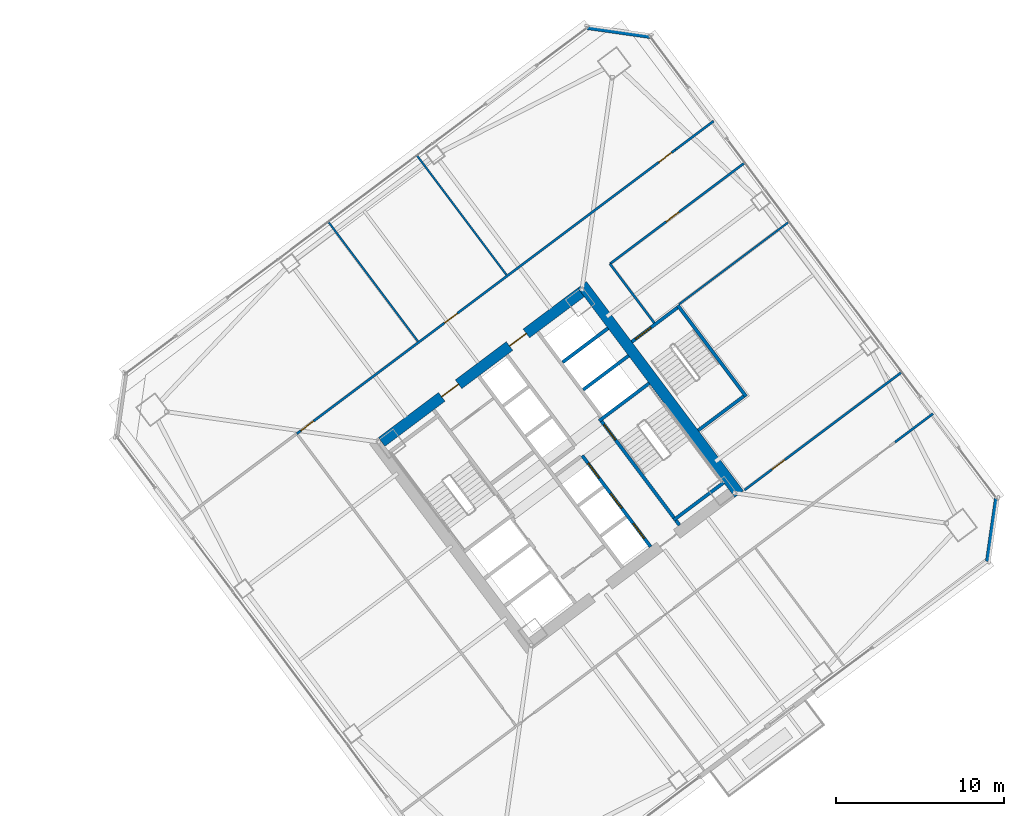
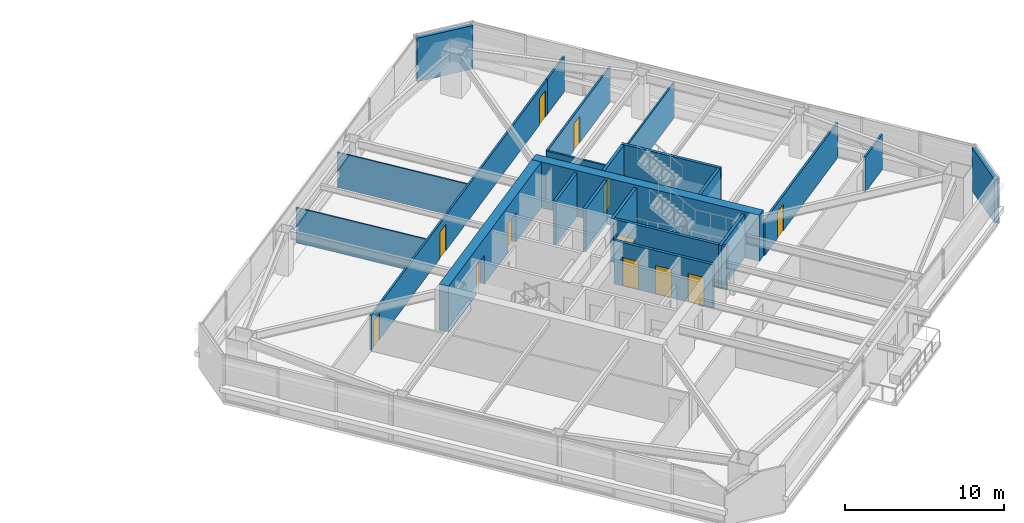
# One storey, part 41 of 48: 22 walls, 12 doors, 12 openings.
"""IFC4 building model written with IfcOpenShell, lengths in metres."""

from ifc_helpers import new_model, si_unit, direction, frame, frame_2d, origin, place, context, subcontext, project, spatial, rectangle, extrude, material, layer, layer_set, type_object, element, fill, save


model = new_model("IFC4")

# Units and contexts
model_context = context("Model", 3, precision=1e-05, world=origin(), true_north=direction((0.0, 1.0)))
body_context = subcontext(model_context, "Body", "Model", "MODEL_VIEW")
ifc_project = project(units=[si_unit("LENGTHUNIT", "METRE"), si_unit("AREAUNIT", "SQUARE_METRE"), si_unit("VOLUMEUNIT", "CUBIC_METRE"), si_unit("PLANEANGLEUNIT", "RADIAN"), si_unit("MASSUNIT", "GRAM", prefix="KILO")], contexts=[model_context])

# Site, building, storey
site_placement = place(None, origin())
site = spatial("IfcSite", under=ifc_project, at=site_placement, CompositionType="ELEMENT")
building_placement = place(site_placement, origin())
building = spatial("IfcBuilding", under=site, at=building_placement, Name="Tashvorn Skyway Center", CompositionType="ELEMENT")
storey_placement = place(building_placement, frame((0.0, 0.0, 77.85009765625)))
storey = spatial("IfcBuildingStorey", under=building, at=storey_placement, Name="L20", CompositionType="ELEMENT", Elevation=77.85009765625)

# Wall
ifc_material_1 = material(Name="Concrete C60/75", Category="concrete")
ifc_layer_1 = layer(ifc_material_1, 0.64990234375)
ifc_layer_set_1 = layer_set([ifc_layer_1], Name="Concrete C60/75")
wall_type_1 = type_object("IfcWallType", Name="WALL-CORE-650", PredefinedType="SHEAR", material=ifc_layer_set_1)
wall_1_placement = place(storey_placement, frame((115.52392578125, 42.89306640625, 0.0), z_axis=(0.0, 0.0, 1.0), x_axis=(0.600005007985, -0.799996243986, 0.0)))
element("IfcWall", 1, at=wall_1_placement, inside=storey, type_object=wall_type_1, Name="Tower 2 L20 East Core Shear Wall", PredefinedType="SHEAR", context=body_context, shape_type="SweptSolid", body=[
    extrude(rectangle(XDim=15.60009765625, YDim=0.64990234375, at=frame_2d((7.800048828125, 0.0))), origin(), (0.0, 0.0, 1.0), 3.5498046875),
])

# Wall, openings, doors
wall_2_placement = place(storey_placement, frame((103.571044921875, 33.52197265625, 0.0), z_axis=(0.0, 0.0, 1.0), x_axis=(0.799998028465, 0.600002628705, 0.0)))
wall_2 = element("IfcWall", 2, at=wall_2_placement, inside=storey, type_object=wall_type_1, Name="Tower 2 L20 North Core Shear Wall", PredefinedType="SHEAR", context=body_context, shape_type="SweptSolid", body=[
    extrude(rectangle(XDim=14.85986328125, YDim=0.64990234375, at=frame_2d((7.429931640625, 0.0))), origin(), (0.0, 0.0, 1.0), 3.5498046875),
])
opening_1_placement = place(wall_2_placement, frame((4.47998046875, 0.0, 0.0)))
opening_1 = element("IfcOpeningElement", 3, at=opening_1_placement, cuts=wall_2, Name="Opening D-FFL-1250", PredefinedType="OPENING", context=body_context, shape_type="SweptSolid", body=[
    extrude(rectangle(XDim=1.25, YDim=2.25, at=frame_2d((0.625, 1.125))), frame((0.0, 0.3349609375, 0.0), z_axis=(0.0, -1.0, 0.0), x_axis=(1.0, 0.0, 0.0)), (0.0, 0.0, 1.0), 0.669921875),
])
opening_2_placement = place(wall_2_placement, frame((9.530029296875, 0.0, 0.0)))
opening_2 = element("IfcOpeningElement", 4, at=opening_2_placement, cuts=wall_2, Name="Opening D-FFL-1250", PredefinedType="OPENING", context=body_context, shape_type="SweptSolid", body=[
    extrude(rectangle(XDim=1.25, YDim=2.25, at=frame_2d((0.625, 1.125))), frame((0.0, 0.3349609375, 0.0), z_axis=(0.0, -1.0, 0.0), x_axis=(1.0, 0.0, 0.0)), (0.0, 0.0, 1.0), 0.669921875),
])
ifc_material_2 = material(Name="Hollow galvanized steel fire door assembly", Category="steel")
door_type_1 = type_object("IfcDoorType", Name="DOOR-FFL-1250", OperationType="NOTDEFINED", PredefinedType="DOOR", material=ifc_material_2)
door_1_placement = place(opening_1_placement, origin())
door_1 = element("IfcDoor", 5, at=door_1_placement, inside=storey, type_object=door_type_1, Name="Tower 2 L20 Core North Service Lobby Door", OperationType="SINGLE_SWING_LEFT", OverallHeight=2.25, OverallWidth=1.25, PredefinedType="DOOR", context=body_context, shape_type="SweptSolid", body=[
    extrude(rectangle(XDim=1.25, YDim=2.25, at=frame_2d((0.625, 1.125))), frame((0.0, 0.02490234375, 0.0), z_axis=(0.0, -1.0, 0.0), x_axis=(1.0, 0.0, 0.0)), (0.0, 0.0, 1.0), 0.050048828125),
])
fill(opening_1, door_1)
door_2_placement = place(opening_2_placement, origin())
door_2 = element("IfcDoor", 6, at=door_2_placement, inside=storey, type_object=door_type_1, Name="Tower 2 L20 Core North Lift Lobby Door", OperationType="SINGLE_SWING_RIGHT", OverallHeight=2.25, OverallWidth=1.25, PredefinedType="DOOR", context=body_context, shape_type="SweptSolid", body=[
    extrude(rectangle(XDim=1.25, YDim=2.25, at=frame_2d((0.625, 1.125))), frame((0.0, 0.02490234375, 0.0), z_axis=(0.0, -1.0, 0.0), x_axis=(1.0, 0.0, 0.0)), (0.0, 0.0, 1.0), 0.050048828125),
])
fill(opening_2, door_2)

# Walls
ifc_material_3 = material(Name="Precast concrete C40/50", Category="concrete")
ifc_layer_2 = layer(ifc_material_3, 0.280029296875)
ifc_layer_set_2 = layer_set([ifc_layer_2], Name="Precast concrete C40/50")
wall_type_2 = type_object("IfcWallType", Name="WALL-EXT-280", PredefinedType="SOLIDWALL", material=ifc_layer_set_2)
for number, where, z_axis, x_axis, name in (
    (7, (115.820068359375, 58.239990234375, 0.0), (0.0, 0.0, 1.0), (0.989948214866, -0.141430307517, 0.0), "Tower 2 L20 NE Precast Chamfer Wall"),
    (8, (140.239990234375, 30.179931640625, 0.0), (0.0, 0.0, 1.0), (-0.141430307517, -0.989948214866, 0.0), "Tower 2 L20 SE Precast Chamfer Wall"),
):
    element("IfcWall", number, at=place(storey_placement, frame(where, z_axis=z_axis, x_axis=x_axis)), inside=storey, type_object=wall_type_2, Name=name, PredefinedType="SOLIDWALL", context=body_context, shape_type="SweptSolid", body=[
        extrude(rectangle(XDim=3.818359375, YDim=0.280029296875, at=frame_2d((1.9091796875, 0.0))), origin(), (0.0, 0.0, 1.0), 3.349853515625),
    ])
ifc_material_4 = material(Name="Gypsum board on cold-formed steel stud framing", Category="steel")
ifc_layer_3 = layer(ifc_material_4, 0.110107421875)
ifc_layer_set_3 = layer_set([ifc_layer_3], Name="Gypsum board on cold-formed steel stud framing")
wall_type_3 = type_object("IfcWallType", Name="WALL-PART-110", PredefinedType="PARTITIONING", material=ifc_layer_set_3)
for number, where, z_axis, x_axis, name in (
    (9, (105.73193359375, 39.52392578125, 0.0), (0.0, 0.0, 1.0), (-0.599982443676, 0.800013166942, 0.0), "Tower 2 L20 North Suite Partition 1"),
    (10, (111.011962890625, 43.48388671875, 0.0), (0.0, 0.0, 1.0), (-0.599982443676, 0.800013166942, 0.0), "Tower 2 L20 North Suite Partition 2"),
):
    element("IfcWall", number, at=place(storey_placement, frame(where, z_axis=z_axis, x_axis=x_axis)), inside=storey, type_object=wall_type_3, Name=name, PredefinedType="PARTITIONING", context=body_context, shape_type="SweptSolid", body=[
        extrude(rectangle(XDim=8.89990234375, YDim=0.110107421875, at=frame_2d((4.449951171875, 0.0))), origin(), (0.0, 0.0, 1.0), 2.702880859375),
    ])
wall_3_placement = place(storey_placement, frame((127.864013671875, 46.64794921875, 0.0), z_axis=(0.0, 0.0, 1.0), x_axis=(-0.800007145523, -0.599990472518, 0.0)))
element("IfcWall", 11, at=wall_3_placement, inside=storey, type_object=wall_type_3, Name="Tower 2 L20 East Suite Partition 1", PredefinedType="PARTITIONING", context=body_context, shape_type="SweptSolid", body=[
    extrude(rectangle(XDim=8.199951171875, YDim=0.110107421875, at=frame_2d((4.10009765625, 0.0))), origin(), (0.0, 0.0, 1.0), 2.702880859375),
])
ifc_layer_4 = layer(ifc_material_4, 0.135009765625)
ifc_layer_set_4 = layer_set([ifc_layer_4], Name="Gypsum board on cold-formed steel stud framing")
wall_type_4 = type_object("IfcWallType", Name="WALL-PART-135", PredefinedType="PARTITIONING", material=ifc_layer_set_4)
wall_4_placement = place(storey_placement, frame((119.823974609375, 40.617919921875, 0.0), z_axis=(0.0, 0.0, 1.0), x_axis=(-0.599982243973, 0.800013316712, 0.0)))
element("IfcWall", 12, at=wall_4_placement, inside=storey, type_object=wall_type_4, Name="Tower 2 L20 Stair 3 Access Corridor Wall", PredefinedType="PARTITIONING", context=body_context, shape_type="SweptSolid", body=[
    extrude(rectangle(XDim=4.39990234375, YDim=0.135009765625, at=frame_2d((2.199951171875, 0.0))), origin(), (0.0, 0.0, 1.0), 2.702880859375),
])

# Wall, openings, doors
wall_5_placement = place(storey_placement, frame((98.51611328125, 34.011962890625, 0.0), z_axis=(0.0, 0.0, 1.0), x_axis=(0.8, 0.6, 0.0)))
wall_5 = element("IfcWall", 13, at=wall_5_placement, inside=storey, type_object=wall_type_4, Name="Tower 2 L20 North Suite Wall", PredefinedType="PARTITIONING", context=body_context, shape_type="SweptSolid", body=[
    extrude(rectangle(XDim=28.22998046875, YDim=0.135009765625, at=frame_2d((14.114990234375, 0.0))), origin(), (0.0, 0.0, 1.0), 2.702880859375),
])
opening_3_placement = place(wall_5_placement, frame((0.300048828125, 0.0, 0.0)))
opening_3 = element("IfcOpeningElement", 14, at=opening_3_placement, cuts=wall_5, Name="Opening D-INT-950", PredefinedType="OPENING", context=body_context, shape_type="SweptSolid", body=[
    extrude(rectangle(XDim=0.949951171875, YDim=2.050048828125, at=frame_2d((0.47509765625, 1.02490234375))), frame((0.0, 0.077392578125, 0.0), z_axis=(0.0, -1.0, 0.0), x_axis=(1.0, 0.0, 0.0)), (0.0, 0.0, 1.0), 0.155029296875),
])
opening_4_placement = place(wall_5_placement, frame((11.004150390625, 0.0, 0.0)))
opening_4 = element("IfcOpeningElement", 15, at=opening_4_placement, cuts=wall_5, Name="Opening D-INT-950", PredefinedType="OPENING", context=body_context, shape_type="SweptSolid", body=[
    extrude(rectangle(XDim=0.949951171875, YDim=2.050048828125, at=frame_2d((0.47509765625, 1.02490234375))), frame((0.0, 0.077392578125, 0.0), z_axis=(0.0, -1.0, 0.0), x_axis=(1.0, 0.0, 0.0)), (0.0, 0.0, 1.0), 0.155029296875),
])
opening_5_placement = place(wall_5_placement, frame((26.97998046875, 0.0, 0.0)))
opening_5 = element("IfcOpeningElement", 16, at=opening_5_placement, cuts=wall_5, Name="Opening D-INT-950", PredefinedType="OPENING", context=body_context, shape_type="SweptSolid", body=[
    extrude(rectangle(XDim=0.949951171875, YDim=2.050048828125, at=frame_2d((0.47509765625, 1.02490234375))), frame((0.0, 0.077392578125, 0.0), z_axis=(0.0, -1.0, 0.0), x_axis=(1.0, 0.0, 0.0)), (0.0, 0.0, 1.0), 0.155029296875),
])
ifc_material_5 = material(Name="Solid-core architectural oak veneer door")
door_type_2 = type_object("IfcDoorType", Name="DOOR-INT-950", OperationType="NOTDEFINED", PredefinedType="DOOR", material=ifc_material_5)
door_3_placement = place(opening_3_placement, origin())
door_3 = element("IfcDoor", 17, at=door_3_placement, inside=storey, type_object=door_type_2, Name="Tower 2 L20 Conference Room Door", OperationType="SINGLE_SWING_RIGHT", OverallHeight=2.050048828125, OverallWidth=0.949951171875, PredefinedType="DOOR", context=body_context, shape_type="SweptSolid", body=[
    extrude(rectangle(XDim=0.949951171875, YDim=2.050048828125, at=frame_2d((0.47509765625, 1.02490234375))), frame((0.0, 0.02490234375, 0.0), z_axis=(0.0, -1.0, 0.0), x_axis=(1.0, 0.0, 0.0)), (0.0, 0.0, 1.0), 0.050048828125),
])
fill(opening_3, door_3)
door_4_placement = place(opening_4_placement, origin())
door_4 = element("IfcDoor", 18, at=door_4_placement, inside=storey, type_object=door_type_2, Name="Tower 2 L20 Conference Room Door", OperationType="SINGLE_SWING_LEFT", OverallHeight=2.050048828125, OverallWidth=0.949951171875, PredefinedType="DOOR", context=body_context, shape_type="SweptSolid", body=[
    extrude(rectangle(XDim=0.949951171875, YDim=2.050048828125, at=frame_2d((0.47509765625, 1.02490234375))), frame((0.0, 0.02490234375, 0.0), z_axis=(0.0, -1.0, 0.0), x_axis=(1.0, 0.0, 0.0)), (0.0, 0.0, 1.0), 0.050048828125),
])
fill(opening_4, door_4)
door_5_placement = place(opening_5_placement, origin())
door_5 = element("IfcDoor", 19, at=door_5_placement, inside=storey, type_object=door_type_2, Name="Tower 2 L20 Collaborative Studio Door", OperationType="SINGLE_SWING_RIGHT", OverallHeight=2.050048828125, OverallWidth=0.949951171875, PredefinedType="DOOR", context=body_context, shape_type="SweptSolid", body=[
    extrude(rectangle(XDim=0.949951171875, YDim=2.050048828125, at=frame_2d((0.47509765625, 1.02490234375))), frame((0.0, 0.02490234375, 0.0), z_axis=(0.0, -1.0, 0.0), x_axis=(1.0, 0.0, 0.0)), (0.0, 0.0, 1.0), 0.050048828125),
])
fill(opening_5, door_5)

# Walls
wall_6_placement = place(storey_placement, frame((121.10009765625, 50.949951171875, 0.0), z_axis=(0.0, 0.0, 1.0), x_axis=(0.799989647378, 0.600013803248, 0.0)))
element("IfcWall", 20, at=wall_6_placement, inside=storey, type_object=wall_type_4, Name="Tower 2 L20 North-East Suite South Wall", PredefinedType="PARTITIONING", context=body_context, shape_type="SweptSolid", body=[
    extrude(rectangle(XDim=2.829833984375, YDim=0.135009765625, at=frame_2d((1.4150390625, 0.0))), origin(), (0.0, 0.0, 1.0), 2.702880859375),
])
wall_7_placement = place(storey_placement, frame((134.179931640625, 33.510009765625, 0.0), z_axis=(0.0, 0.0, 1.0), x_axis=(0.8000207031, 0.599972394874, 0.0)))
element("IfcWall", 21, at=wall_7_placement, inside=storey, type_object=wall_type_4, Name="Tower 2 L20 South-East Suite North Wall", PredefinedType="PARTITIONING", context=body_context, shape_type="SweptSolid", body=[
    extrude(rectangle(XDim=2.830078125, YDim=0.135009765625, at=frame_2d((1.4150390625, 0.0))), origin(), (0.0, 0.0, 1.0), 2.702880859375),
])

# Wall, opening, door
wall_8_placement = place(storey_placement, frame((125.22412109375, 50.16796875, 0.0), z_axis=(0.0, 0.0, 1.0), x_axis=(-0.8, -0.6, 0.0)))
wall_8 = element("IfcWall", 22, at=wall_8_placement, inside=storey, type_object=wall_type_4, Name="Tower 2 L20 East Suite North Wall", PredefinedType="PARTITIONING", context=body_context, shape_type="SweptSolid", body=[
    extrude(rectangle(XDim=10.050048828125, YDim=0.135009765625, at=frame_2d((5.02490234375, 0.0))), origin(), (0.0, 0.0, 1.0), 2.702880859375),
])
opening_6_placement = place(wall_8_placement, frame((4.89990234375, 0.0, 0.0)))
opening_6 = element("IfcOpeningElement", 23, at=opening_6_placement, cuts=wall_8, Name="Opening D-INT-950", PredefinedType="OPENING", context=body_context, shape_type="SweptSolid", body=[
    extrude(rectangle(XDim=0.949951171875, YDim=2.050048828125, at=frame_2d((0.47509765625, 1.02490234375))), frame((0.0, 0.077392578125, 0.0), z_axis=(0.0, -1.0, 0.0), x_axis=(1.0, 0.0, 0.0)), (0.0, 0.0, 1.0), 0.155029296875),
])
door_6_placement = place(opening_6_placement, origin())
door_6 = element("IfcDoor", 24, at=door_6_placement, inside=storey, type_object=door_type_2, Name="Tower 2 L20 Gallery Showroom Door", OperationType="SINGLE_SWING_RIGHT", OverallHeight=2.050048828125, OverallWidth=0.949951171875, PredefinedType="DOOR", context=body_context, shape_type="SweptSolid", body=[
    extrude(rectangle(XDim=0.949951171875, YDim=2.050048828125, at=frame_2d((0.47509765625, 1.02490234375))), frame((0.0, 0.02490234375, 0.0), z_axis=(0.0, -1.0, 0.0), x_axis=(1.0, 0.0, 0.0)), (0.0, 0.0, 1.0), 0.050048828125),
])
fill(opening_6, door_6)

wall_9_placement = place(storey_placement, frame((125.2080078125, 30.656005859375, 0.0), z_axis=(0.0, 0.0, 1.0), x_axis=(0.8, 0.6, 0.0)))
wall_9 = element("IfcWall", 25, at=wall_9_placement, inside=storey, type_object=wall_type_4, Name="Tower 2 L20 East Suite South Wall", PredefinedType="PARTITIONING", context=body_context, shape_type="SweptSolid", body=[
    extrude(rectangle(XDim=11.719970703125, YDim=0.135009765625, at=frame_2d((5.85986328125, 0.0))), origin(), (0.0, 0.0, 1.0), 2.702880859375),
])
opening_7_placement = place(wall_9_placement, frame((2.044921875, 0.0, 0.0)))
opening_7 = element("IfcOpeningElement", 26, at=opening_7_placement, cuts=wall_9, Name="Opening D-INT-950", PredefinedType="OPENING", context=body_context, shape_type="SweptSolid", body=[
    extrude(rectangle(XDim=0.949951171875, YDim=2.050048828125, at=frame_2d((0.47509765625, 1.02490234375))), frame((0.0, 0.077392578125, 0.0), z_axis=(0.0, -1.0, 0.0), x_axis=(1.0, 0.0, 0.0)), (0.0, 0.0, 1.0), 0.155029296875),
])
door_7_placement = place(opening_7_placement, origin())
door_7 = element("IfcDoor", 27, at=door_7_placement, inside=storey, type_object=door_type_2, Name="Tower 2 L20 Public Restroom Door", OperationType="SINGLE_SWING_LEFT", OverallHeight=2.050048828125, OverallWidth=0.949951171875, PredefinedType="DOOR", context=body_context, shape_type="SweptSolid", body=[
    extrude(rectangle(XDim=0.949951171875, YDim=2.050048828125, at=frame_2d((0.47509765625, 1.02490234375))), frame((0.0, 0.02490234375, 0.0), z_axis=(0.0, -1.0, 0.0), x_axis=(1.0, 0.0, 0.0)), (0.0, 0.0, 1.0), 0.050048828125),
])
fill(opening_7, door_7)

# Walls
ifc_material_6 = material(Name="Concrete C40/50", Category="concrete")
ifc_layer_5 = layer(ifc_material_6, 0.199951171875)
ifc_layer_set_5 = layer_set([ifc_layer_5], Name="Concrete C40/50")
wall_type_5 = type_object("IfcWallType", Name="WALL-SHAFT-200", PredefinedType="SOLIDWALL", material=ifc_layer_set_5)
for number, where, z_axis, x_axis, name in (
    (28, (115.590087890625, 36.6298828125, 0.0), (0.0, 0.0, 1.0), (0.799973995579, 0.600034670996, 0.0), "Tower 2 L20 High-Rise Shaft Divider"),
    (29, (114.360107421875, 38.27001953125, 0.0), (0.0, 0.0, 1.0), (0.799973995579, 0.600034670996, 0.0), "Tower 2 L20 High-Rise Shaft Divider"),
):
    element("IfcWall", number, at=place(storey_placement, frame(where, z_axis=z_axis, x_axis=x_axis)), inside=storey, type_object=wall_type_5, Name=name, PredefinedType="SOLIDWALL", context=body_context, shape_type="SweptSolid", body=[
        extrude(rectangle(XDim=3.3798828125, YDim=0.199951171875, at=frame_2d((1.68994140625, 0.0))), origin(), (0.0, 0.0, 1.0), 3.349853515625),
    ])

# Wall, openings, doors
wall_10_placement = place(storey_placement, frame((119.610107421875, 27.27001953125, 0.0), z_axis=(0.0, 0.0, 1.0), x_axis=(-0.600011488909, 0.79999138319, 0.0)))
wall_10 = element("IfcWall", 30, at=wall_10_placement, inside=storey, type_object=wall_type_5, Name="Tower 2 L20 Low-Rise Core Wall", PredefinedType="SOLIDWALL", context=body_context, shape_type="SweptSolid", body=[
    extrude(rectangle(XDim=6.800048828125, YDim=0.199951171875, at=frame_2d((3.39990234375, 0.0))), origin(), (0.0, 0.0, 1.0), 3.349853515625),
])
opening_8_placement = place(wall_10_placement, frame((0.625, 0.0, 0.0)))
opening_8 = element("IfcOpeningElement", 31, at=opening_8_placement, cuts=wall_10, Name="Opening LD-LR-T2-1-L20", PredefinedType="OPENING", context=body_context, shape_type="SweptSolid", body=[
    extrude(rectangle(XDim=1.10009765625, YDim=2.199951171875, at=frame_2d((0.550048828125, 1.10009765625))), frame((0.0, 0.10986328125, 0.0), z_axis=(0.0, -1.0, 0.0), x_axis=(1.0, 0.0, 0.0)), (0.0, 0.0, 1.0), 0.219970703125),
])
opening_9_placement = place(wall_10_placement, frame((2.875, 0.0, 0.0)))
opening_9 = element("IfcOpeningElement", 32, at=opening_9_placement, cuts=wall_10, Name="Opening LD-LR-T2-2-L20", PredefinedType="OPENING", context=body_context, shape_type="SweptSolid", body=[
    extrude(rectangle(XDim=1.10009765625, YDim=2.199951171875, at=frame_2d((0.550048828125, 1.10009765625))), frame((0.0, 0.10986328125, 0.0), z_axis=(0.0, -1.0, 0.0), x_axis=(1.0, 0.0, 0.0)), (0.0, 0.0, 1.0), 0.219970703125),
])
opening_10_placement = place(wall_10_placement, frame((5.125, 0.0, 0.0)))
opening_10 = element("IfcOpeningElement", 33, at=opening_10_placement, cuts=wall_10, Name="Opening LD-LR-T2-3-L20", PredefinedType="OPENING", context=body_context, shape_type="SweptSolid", body=[
    extrude(rectangle(XDim=1.10009765625, YDim=2.199951171875, at=frame_2d((0.550048828125, 1.10009765625))), frame((0.0, 0.10986328125, 0.0), z_axis=(0.0, -1.0, 0.0), x_axis=(1.0, 0.0, 0.0)), (0.0, 0.0, 1.0), 0.219970703125),
])
ifc_material_7 = material(Name="Stainless steel landing door", Category="steel")
door_type_3 = type_object("IfcDoorType", Name="DOOR-LIFT-1100", OperationType="SLIDING_TO_LEFT", PredefinedType="DOOR", material=ifc_material_7)
door_8_placement = place(opening_8_placement, origin())
door_8 = element("IfcDoor", 34, at=door_8_placement, inside=storey, type_object=door_type_3, Name="Lift LR-T2-1 L20 Landing Door", OperationType="SLIDING_TO_LEFT", OverallHeight=2.199951171875, OverallWidth=1.10009765625, PredefinedType="DOOR", context=body_context, shape_type="SweptSolid", body=[
    extrude(rectangle(XDim=1.10009765625, YDim=2.199951171875, at=frame_2d((0.550048828125, 1.10009765625))), frame((0.0, 0.02490234375, 0.0), z_axis=(0.0, -1.0, 0.0), x_axis=(1.0, 0.0, 0.0)), (0.0, 0.0, 1.0), 0.050048828125),
])
fill(opening_8, door_8)
door_9_placement = place(opening_9_placement, origin())
door_9 = element("IfcDoor", 35, at=door_9_placement, inside=storey, type_object=door_type_3, Name="Lift LR-T2-2 L20 Landing Door", OperationType="SLIDING_TO_LEFT", OverallHeight=2.199951171875, OverallWidth=1.10009765625, PredefinedType="DOOR", context=body_context, shape_type="SweptSolid", body=[
    extrude(rectangle(XDim=1.10009765625, YDim=2.199951171875, at=frame_2d((0.550048828125, 1.10009765625))), frame((0.0, 0.02490234375, 0.0), z_axis=(0.0, -1.0, 0.0), x_axis=(1.0, 0.0, 0.0)), (0.0, 0.0, 1.0), 0.050048828125),
])
fill(opening_9, door_9)
door_10_placement = place(opening_10_placement, origin())
door_10 = element("IfcDoor", 36, at=door_10_placement, inside=storey, type_object=door_type_3, Name="Lift LR-T2-3 L20 Landing Door", OperationType="SLIDING_TO_LEFT", OverallHeight=2.199951171875, OverallWidth=1.10009765625, PredefinedType="DOOR", context=body_context, shape_type="SweptSolid", body=[
    extrude(rectangle(XDim=1.10009765625, YDim=2.199951171875, at=frame_2d((0.550048828125, 1.10009765625))), frame((0.0, 0.02490234375, 0.0), z_axis=(0.0, -1.0, 0.0), x_axis=(1.0, 0.0, 0.0)), (0.0, 0.0, 1.0), 0.050048828125),
])
fill(opening_10, door_10)

# Wall, opening, door
ifc_layer_6 = layer(ifc_material_6, 0.199951171875)
ifc_layer_set_6 = layer_set([ifc_layer_6], Name="Concrete C40/50")
wall_type_6 = type_object("IfcWallType", Name="WALL-STSHF-200", PredefinedType="SHEAR", material=ifc_layer_set_6)
wall_11_placement = place(storey_placement, frame((116.56005859375, 34.919921875, 0.0), z_axis=(0.0, 0.0, 1.0), x_axis=(0.600009827119, -0.799992629566, 0.0)))
wall_11 = element("IfcWall", 37, at=wall_11_placement, inside=storey, type_object=wall_type_6, Name="Tower 2 L20 Stair 2 Enclosure Wall", PredefinedType="SHEAR", context=body_context, shape_type="SweptSolid", body=[
    extrude(rectangle(XDim=7.949951171875, YDim=0.199951171875, at=frame_2d((3.97509765625, 0.0))), origin(), (0.0, 0.0, 1.0), 3.349853515625),
])
opening_11_placement = place(wall_11_placement, frame((0.449951171875, 0.0, 0.0)))
opening_11 = element("IfcOpeningElement", 38, at=opening_11_placement, cuts=wall_11, Name="Opening D-ST-1150", PredefinedType="OPENING", context=body_context, shape_type="SweptSolid", body=[
    extrude(rectangle(XDim=1.14990234375, YDim=2.199951171875, at=frame_2d((0.574951171875, 1.10009765625))), frame((0.0, 0.10986328125, 0.0), z_axis=(0.0, -1.0, 0.0), x_axis=(1.0, 0.0, 0.0)), (0.0, 0.0, 1.0), 0.219970703125),
])
door_type_4 = type_object("IfcDoorType", Name="DOOR-STAIR-1150", OperationType="NOTDEFINED", PredefinedType="DOOR", material=ifc_material_2)
door_11_placement = place(opening_11_placement, origin())
door_11 = element("IfcDoor", 39, at=door_11_placement, inside=storey, type_object=door_type_4, Name="Tower 2 L20 Exit Stair 2 Door", OperationType="SINGLE_SWING_RIGHT", OverallHeight=2.199951171875, OverallWidth=1.14990234375, PredefinedType="DOOR", context=body_context, shape_type="SweptSolid", body=[
    extrude(rectangle(XDim=1.14990234375, YDim=2.199951171875, at=frame_2d((0.574951171875, 1.10009765625))), frame((0.0, 0.02490234375, 0.0), z_axis=(0.0, -1.0, 0.0), x_axis=(1.0, 0.0, 0.0)), (0.0, 0.0, 1.0), 0.050048828125),
])
fill(opening_11, door_11)

# Walls
for number, where, z_axis, x_axis, name in (
    (40, (116.5400390625, 34.780029296875, 0.0), (0.0, 0.0, 1.0), (0.799984290658, 0.600020945218, 0.0), "Tower 2 L20 Stair 2 North Wall"),
    (41, (120.97998046875, 28.860107421875, 0.0), (0.0, 0.0, 1.0), (0.800039270442, 0.59994763584, 0.0), "Tower 2 L20 Stair 2 South Wall"),
):
    element("IfcWall", number, at=place(storey_placement, frame(where, z_axis=z_axis, x_axis=x_axis)), inside=storey, type_object=wall_type_6, Name=name, PredefinedType="SHEAR", context=body_context, shape_type="SweptSolid", body=[
        extrude(rectangle(XDim=3.72998046875, YDim=0.199951171875, at=frame_2d((1.864990234375, 0.0))), origin(), (0.0, 0.0, 1.0), 3.349853515625),
    ])
wall_12_placement = place(storey_placement, frame((125.303955078125, 36.22802734375, 0.0), z_axis=(0.0, 0.0, 1.0), x_axis=(-0.59998851072, 0.800008616831, 0.0)))
element("IfcWall", 42, at=wall_12_placement, inside=storey, type_object=wall_type_6, Name="Tower 2 L20 Stair 3 Outer Wall", PredefinedType="SHEAR", context=body_context, shape_type="SweptSolid", body=[
    extrude(rectangle(XDim=6.7998046875, YDim=0.199951171875, at=frame_2d((3.39990234375, 0.0))), origin(), (0.0, 0.0, 1.0), 3.349853515625),
])

# Wall, opening, door
wall_13_placement = place(storey_placement, frame((121.2041015625, 41.528076171875, 0.0), z_axis=(0.0, 0.0, 1.0), x_axis=(-0.800017232136, -0.599977023131, 0.0)))
wall_13 = element("IfcWall", 43, at=wall_13_placement, inside=storey, type_object=wall_type_6, Name="Tower 2 L20 Stair 3 Enclosure Wall", PredefinedType="SHEAR", context=body_context, shape_type="SweptSolid", body=[
    extrude(rectangle(XDim=3.400146484375, YDim=0.199951171875, at=frame_2d((1.7001953125, 0.0))), origin(), (0.0, 0.0, 1.0), 3.349853515625),
])
opening_12_placement = place(wall_13_placement, frame((1.97509765625, 0.0, 0.0)))
opening_12 = element("IfcOpeningElement", 44, at=opening_12_placement, cuts=wall_13, Name="Opening D-ST-1150", PredefinedType="OPENING", context=body_context, shape_type="SweptSolid", body=[
    extrude(rectangle(XDim=1.14990234375, YDim=2.199951171875, at=frame_2d((0.574951171875, 1.10009765625))), frame((0.0, 0.10986328125, 0.0), z_axis=(0.0, -1.0, 0.0), x_axis=(1.0, 0.0, 0.0)), (0.0, 0.0, 1.0), 0.219970703125),
])
door_12_placement = place(opening_12_placement, origin())
door_12 = element("IfcDoor", 45, at=door_12_placement, inside=storey, type_object=door_type_4, Name="Tower 2 L20 Exit Stair 3 Door", OperationType="SINGLE_SWING_RIGHT", OverallHeight=2.199951171875, OverallWidth=1.14990234375, PredefinedType="DOOR", context=body_context, shape_type="SweptSolid", body=[
    extrude(rectangle(XDim=1.14990234375, YDim=2.199951171875, at=frame_2d((0.574951171875, 1.10009765625))), frame((0.0, 0.02490234375, 0.0), z_axis=(0.0, -1.0, 0.0), x_axis=(1.0, 0.0, 0.0)), (0.0, 0.0, 1.0), 0.050048828125),
])
fill(opening_12, door_12)

# Wall
wall_14_placement = place(storey_placement, frame((122.444091796875, 34.2080078125, 0.0), z_axis=(0.0, 0.0, 1.0), x_axis=(0.79999138319, 0.600011488909, 0.0)))
element("IfcWall", 46, at=wall_14_placement, inside=storey, type_object=wall_type_6, Name="Tower 2 L20 Stair 3 South Wall", PredefinedType="SHEAR", context=body_context, shape_type="SweptSolid", body=[
    extrude(rectangle(XDim=3.39990234375, YDim=0.199951171875, at=frame_2d((1.699951171875, 0.0))), origin(), (0.0, 0.0, 1.0), 3.349853515625),
])

save(model, "model.ifc")
